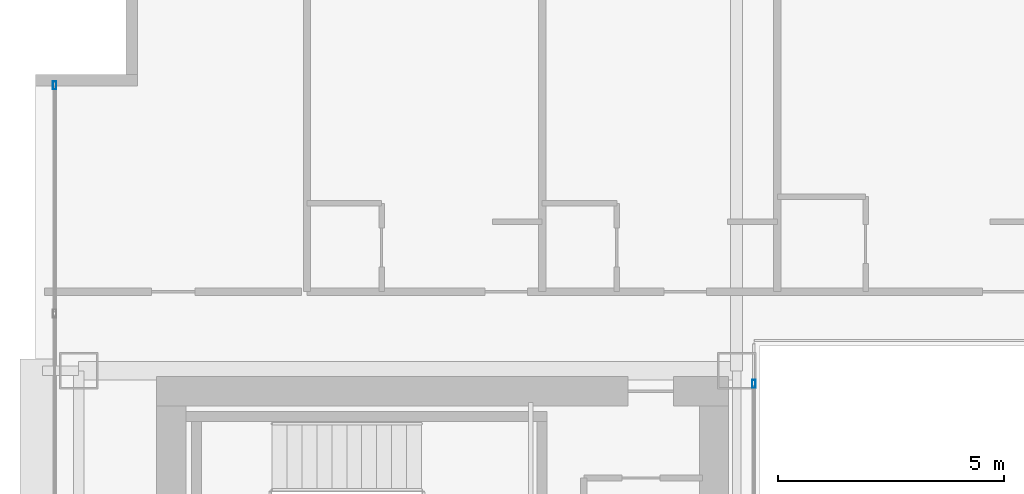
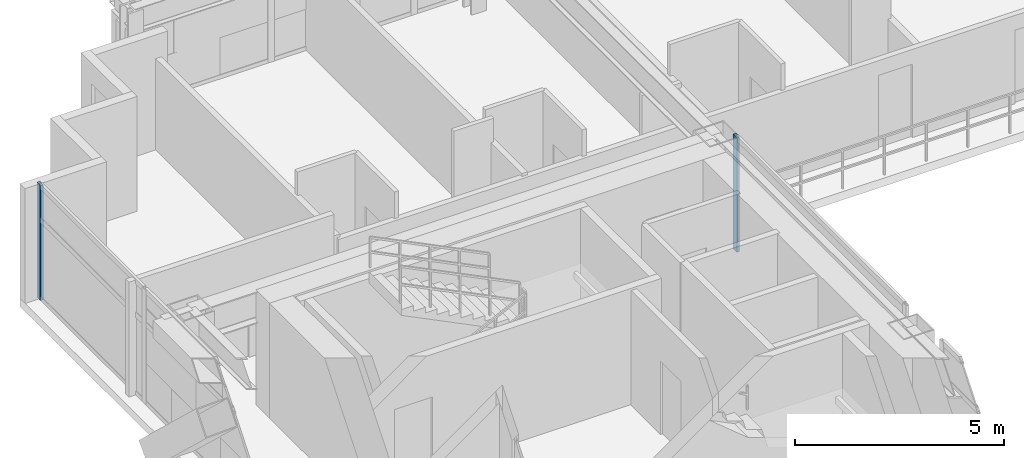
# One storey, part 20 of 39: 2 members, 2 elements without a shape of their own.
"""IFC4 building model written with IfcOpenShell, lengths in metres."""

import ifcopenshell
import ifcopenshell.guid

model = None  # the IFC model being written
_history = None  # IfcOwnerHistory: only IFC2X3 demands one
_inside = {}  # id of a spatial element -> (the spatial element, [elements in it])
_under = {}  # id of a project, library or spatial element -> (it, [spatial elements below it])
_declared = {}  # id of a project -> (the project, [libraries it declares])
_typed = {}  # id of a type object -> (the type object, [elements of that type])
_made_of = {}  # id of a material, layer set ... -> (it, [elements and type objects made of it])


def new_model(schema):
    """Start an empty IFC model of exactly this schema.

    Asked for "IFC4X3", IfcOpenShell would pick the latest addendum, in which some entities
    have other attributes; the version numbers below select the first issue.
    IFC2X3 requires an IfcOwnerHistory on every rooted entity: one is made here for all.
    """
    global model, _history
    if schema == "IFC4X3":
        model = ifcopenshell.file(schema_version=(4, 3, 0, 0))
    else:
        model = ifcopenshell.file(schema=schema)
    _inside.clear()
    _under.clear()
    _declared.clear()
    _typed.clear()
    _made_of.clear()
    _history = None
    if model.schema == "IFC2X3":
        org = make("IfcOrganization", Name="unknown")
        user = make(
            "IfcPersonAndOrganization",
            ThePerson=make("IfcPerson", FamilyName="unknown"),
            TheOrganization=org,
        )
        app = make(
            "IfcApplication",
            ApplicationDeveloper=org,
            Version="unknown",
            ApplicationFullName="unknown",
            ApplicationIdentifier="unknown",
        )
        _history = make(
            "IfcOwnerHistory",
            OwningUser=user,
            OwningApplication=app,
            ChangeAction="ADDED",
            CreationDate=0,
        )
    return model


def make(cls, **values):
    """One entity of the class cls with the attributes given. An attribute that is None is left unset."""
    return model.create_entity(
        cls, **{name: value for name, value in values.items() if value is not None}
    )


def rooted(cls, **values):
    """An entity with a GlobalId (a new one), such as an element, a storey or a relation."""
    return make(cls, GlobalId=ifcopenshell.guid.new(), OwnerHistory=_history, **values)


def si_unit(unit_type, name, prefix=None):
    """IfcSIUnit, for example si_unit("LENGTHUNIT", "METRE", prefix="MILLI")."""
    return make("IfcSIUnit", UnitType=unit_type, Prefix=prefix, Name=name)


def assignment(units):
    """IfcUnitAssignment: the units of a project."""
    return None if units is None else make("IfcUnitAssignment", Units=units)


def point(xyz):
    """IfcCartesianPoint."""
    return None if xyz is None else make("IfcCartesianPoint", Coordinates=xyz)


def direction(xyz):
    """IfcDirection."""
    return None if xyz is None else make("IfcDirection", DirectionRatios=xyz)


def frame(location, z_axis=None, x_axis=None):
    """IfcAxis2Placement3D, a coordinate frame: its origin and axes. An axis left out is left unset."""
    return make(
        "IfcAxis2Placement3D",
        Location=point(location),
        Axis=direction(z_axis),
        RefDirection=direction(x_axis),
    )


def frame_2d(location, x_axis=None):
    """IfcAxis2Placement2D, a coordinate frame in the plane: its origin and x axis."""
    return make(
        "IfcAxis2Placement2D", Location=point(location), RefDirection=direction(x_axis)
    )


def origin():
    """The frame at (0, 0, 0) with its axes left unset."""
    return frame((0.0, 0.0, 0.0))


def origin_2d():
    """The frame at (0, 0) in the plane with its x axis left unset."""
    return frame_2d((0.0, 0.0))


def place(relative_to, where):
    """IfcLocalPlacement: puts the frame where relative to a parent placement (None: the world)."""
    return make(
        "IfcLocalPlacement", PlacementRelTo=relative_to, RelativePlacement=where
    )


def context(
    kind, dimensions, precision=None, world=None, true_north=None, identifier=None
):
    """IfcGeometricRepresentationContext, for example the 3D "Model" context."""
    return make(
        "IfcGeometricRepresentationContext",
        ContextIdentifier=identifier,
        ContextType=kind,
        CoordinateSpaceDimension=dimensions,
        Precision=precision,
        WorldCoordinateSystem=world,
        TrueNorth=true_north,
    )


def subcontext(parent, identifier, kind, view, scale=None):
    """IfcGeometricRepresentationSubContext, for example "Body" below "Model"."""
    return make(
        "IfcGeometricRepresentationSubContext",
        ContextIdentifier=identifier,
        ContextType=kind,
        ParentContext=parent,
        TargetScale=scale,
        TargetView=view,
    )


def project(units=None, contexts=None):
    """IfcProject with its units and contexts."""
    return rooted(
        "IfcProject",
        Name="project",
        RepresentationContexts=contexts,
        UnitsInContext=assignment(units),
    )


def spatial(cls, under=None, at=None, **own):
    """A site, building, storey or space (cls), placed at a placement, below another one or the project."""
    s = rooted(cls, ObjectPlacement=at, **own)
    if under is not None:
        _under.setdefault(under.id(), (under, []))[1].append(s)
    return s


def profile(cls, at=None, kind="AREA", **sizes):
    """A parametric profile (cls). Its sizes go by their IFC names, for example OverallWidth=200.0."""
    return make(cls, ProfileType=kind, Position=at, **sizes)


def hollow_rectangle(**sizes):
    """IfcRectangleHollowProfileDef."""
    return profile("IfcRectangleHollowProfileDef", **sizes)


def extrude(swept, where, along, depth):
    """IfcExtrudedAreaSolid: the profile swept, set in the frame where, extruded along a direction by depth."""
    return make(
        "IfcExtrudedAreaSolid",
        SweptArea=swept,
        Position=where,
        ExtrudedDirection=direction(along),
        Depth=depth,
    )


def shape(context_of_items, identifier, shape_type, items):
    """IfcShapeRepresentation: the items that make up one representation, for example the "Body"."""
    return make(
        "IfcShapeRepresentation",
        ContextOfItems=context_of_items,
        RepresentationIdentifier=identifier,
        RepresentationType=shape_type,
        Items=items,
    )


def source(mapping_origin, context_of_items, identifier, shape_type, items):
    """IfcRepresentationMap: a shape defined once, which mapped items show again and again."""
    return make(
        "IfcRepresentationMap",
        MappingOrigin=mapping_origin,
        MappedRepresentation=shape(context_of_items, identifier, shape_type, items),
    )


def transform(
    local_origin,
    x_axis=None,
    y_axis=None,
    z_axis=None,
    scale=None,
    scale2=None,
    scale3=None,
    uniform=True,
):
    """IfcCartesianTransformationOperator3D, or its non-uniform kind. x_axis, y_axis, z_axis: its Axis1, 2, 3."""
    if uniform:
        return make(
            "IfcCartesianTransformationOperator3D",
            Axis1=direction(x_axis),
            Axis2=direction(y_axis),
            LocalOrigin=point(local_origin),
            Scale=scale,
            Axis3=direction(z_axis),
        )
    return make(
        "IfcCartesianTransformationOperator3DnonUniform",
        Axis1=direction(x_axis),
        Axis2=direction(y_axis),
        LocalOrigin=point(local_origin),
        Scale=scale,
        Axis3=direction(z_axis),
        Scale2=scale2,
        Scale3=scale3,
    )


def mapped(mapping_source, mapping_target):
    """IfcMappedItem: shows the shape of a source again, moved by a transform."""
    return make(
        "IfcMappedItem", MappingSource=mapping_source, MappingTarget=mapping_target
    )


def material(Name=None, Category=None):
    """IfcMaterial."""
    return make("IfcMaterial", Name=Name, Category=Category)


def layer(
    of_material, thickness, ventilated=None, Name=None, Category=None, Priority=None
):
    """IfcMaterialLayer: one layer of a wall or slab, of a material (None: an air gap)."""
    return make(
        "IfcMaterialLayer",
        Material=of_material,
        LayerThickness=thickness,
        IsVentilated=ventilated,
        Name=Name,
        Category=Category,
        Priority=Priority,
    )


def layer_set(layers, Name=None):
    """IfcMaterialLayerSet."""
    return make("IfcMaterialLayerSet", MaterialLayers=layers, LayerSetName=Name)


def material_profile(
    of_material, cross_section, Name=None, Category=None, Priority=None
):
    """IfcMaterialProfile: a cross section and its material."""
    return make(
        "IfcMaterialProfile",
        Name=Name,
        Material=of_material,
        Profile=cross_section,
        Priority=Priority,
        Category=Category,
    )


def profile_set(profiles, Name=None, composite=None):
    """IfcMaterialProfileSet."""
    return make(
        "IfcMaterialProfileSet",
        Name=Name,
        MaterialProfiles=profiles,
        CompositeProfile=composite,
    )


def made_of(thing, what):
    """Note that an element or type object is made of a material, layer set ...; save() writes the relation."""
    if what is not None:
        _made_of.setdefault(what.id(), (what, []))[1].append(thing)
    return thing


def type_object(cls, material=None, **own):
    """A type object (cls), such as IfcWallType, which elements share."""
    return made_of(rooted(cls, **own), material)


def element(
    cls,
    number,
    at=None,
    inside=None,
    cuts=None,
    type_object=None,
    material=None,
    context=None,
    identifier="Body",
    shape_type=None,
    held_by="IfcProductDefinitionShape",
    body=None,
    shapes=None,
    **own,
):
    """One element of the class cls, such as IfcWall. Its Tag is "e" and its number.

    at: its placement. inside: the storey or other place that contains it. cuts: it is an
    opening in that element (IfcRelVoidsElement). A single representation is given by context,
    identifier, shape_type and body (its items); several are given by shapes. held_by: the class
    of the entity that holds the representations. save() writes the other relations.
    """
    e = rooted(cls, Tag="e%d" % number, ObjectPlacement=at, **own)
    if body is not None:
        shapes = [shape(context, identifier, shape_type, body)]
    if shapes is not None:
        e.Representation = make(held_by, Representations=shapes)
    if inside is not None:
        _inside.setdefault(inside.id(), (inside, []))[1].append(e)
    if cuts is not None:
        rooted(
            "IfcRelVoidsElement", RelatingBuildingElement=cuts, RelatedOpeningElement=e
        )
    if type_object is not None:
        _typed.setdefault(type_object.id(), (type_object, []))[1].append(e)
    return made_of(e, material)


def aggregate(whole, parts):
    """IfcRelAggregates: a whole, such as a stair, and the parts it consists of."""
    return rooted("IfcRelAggregates", RelatingObject=whole, RelatedObjects=parts)


def save(model, path):
    """Write the relations noted so far, then the file.

    IfcRelAggregates (storeys below a building ...), IfcRelContainedInSpatialStructure (elements
    in a storey), IfcRelDefinesByType, IfcRelAssociatesMaterial and IfcRelDeclares: one each for
    every whole, place, type object, material and project.
    """
    for whole, parts in _under.values():
        aggregate(whole, parts)
    for where, things in _inside.values():
        rooted(
            "IfcRelContainedInSpatialStructure",
            RelatedElements=things,
            RelatingStructure=where,
        )
    for kind, things in _typed.values():
        rooted("IfcRelDefinesByType", RelatedObjects=things, RelatingType=kind)
    for what, things in _made_of.values():
        rooted("IfcRelAssociatesMaterial", RelatedObjects=things, RelatingMaterial=what)
    for by, libraries in _declared.values():
        rooted("IfcRelDeclares", RelatingContext=by, RelatedDefinitions=libraries)
    model.write(path)


model = new_model("IFC4")

# Units and contexts
model_context = context("Model", 3, precision=1e-05, world=origin(), true_north=direction((0.0, 1.0)))
body_context = subcontext(model_context, "Body", "Model", "MODEL_VIEW")
ifc_project = project(units=[si_unit("LENGTHUNIT", "METRE"), si_unit("AREAUNIT", "SQUARE_METRE"), si_unit("VOLUMEUNIT", "CUBIC_METRE"), si_unit("PLANEANGLEUNIT", "RADIAN"), si_unit("MASSUNIT", "GRAM", prefix="KILO")], contexts=[model_context])

# Site, building, storey
site_placement = place(None, origin())
site = spatial("IfcSite", under=ifc_project, at=site_placement, CompositionType="ELEMENT")
building_placement = place(site_placement, origin())
building = spatial("IfcBuilding", under=site, at=building_placement, Name="Ocotamira Hotel", CompositionType="ELEMENT")
storey_placement = place(building_placement, frame((0.0, 0.0, 104.39990234375)))
storey = spatial("IfcBuildingStorey", under=building, at=storey_placement, Name="L25", CompositionType="ELEMENT", Elevation=104.39990234375)

# Curtain wall, member
ifc_material_1 = material(Name="Anodised pale-metal aluminium and solar glass", Category="aluminium")
ifc_layer_1 = layer(ifc_material_1, 0.179931640625)
ifc_layer_set_1 = layer_set([ifc_layer_1], Name="Anodised pale-metal aluminium and solar glass")
curtain_wall_type_1 = type_object("IfcCurtainWallType", Name="CW-SYS3-Z2", PredefinedType="NOTDEFINED", material=ifc_layer_set_1)
curtain_wall_1_placement = place(storey_placement, origin())
curtain_wall_1 = element("IfcCurtainWall", 1, at=curtain_wall_1_placement, inside=storey, type_object=curtain_wall_type_1, Name="L25 Curtain Wall CW-3 CW-L25-W", PredefinedType="NOTDEFINED")
ifc_material_2 = material(Name="Anodised pale-metal aluminium 6063-T6", Category="aluminium")
ifc_material_profile = material_profile(ifc_material_2, hollow_rectangle(XDim=0.080078125, YDim=0.179931640625, WallThickness=0.006103515625, at=origin_2d()), Name="HSS180X80X6")
ifc_profile_set = profile_set([ifc_material_profile], Name="Anodised pale-metal aluminium 6063-T6")
member_type = type_object("IfcMemberType", Name="CWM-180X75", PredefinedType="MULLION", material=ifc_profile_set)
shared_shape = source(origin(), body_context, "Body", "SweptSolid", [
    extrude(hollow_rectangle(XDim=0.080078125, YDim=0.179931640625, WallThickness=0.006103515625, at=origin_2d()), origin(), (0.0, 0.0, 1.0), 3.360107421875),
])
member_1_placement = place(storey_placement, frame((8.419921875, 43.760009765625, 0.0), z_axis=(0.0, 0.0, 1.0), x_axis=(-1.0, 0.0, 0.0)))
member_1 = element("IfcMember", 2, at=member_1_placement, type_object=member_type, Name="CW-3 mullion 8", PredefinedType="MULLION", context=body_context, shape_type="MappedRepresentation", body=[
    mapped(shared_shape, transform((0.0, 0.0, 0.0), scale=1.0)),
])
aggregate(curtain_wall_1, [member_1])

ifc_layer_2 = layer(ifc_material_1, 0.159912109375)
ifc_layer_set_2 = layer_set([ifc_layer_2], Name="Anodised pale-metal aluminium and solar glass")
curtain_wall_type_2 = type_object("IfcCurtainWallType", Name="CW-SYS6-ATR", PredefinedType="NOTDEFINED", material=ifc_layer_set_2)
curtain_wall_2_placement = place(storey_placement, origin())
curtain_wall_2 = element("IfcCurtainWall", 3, at=curtain_wall_2_placement, inside=storey, type_object=curtain_wall_type_2, Name="L25 Curtain Wall CW-6 CW-L25-ATRW2", PredefinedType="NOTDEFINED")
member_2_placement = place(storey_placement, frame((23.8798828125, 37.159912109375, 0.0), z_axis=(0.0, 0.0, 1.0), x_axis=(-1.0, 0.0, 0.0)))
member_2 = element("IfcMember", 4, at=member_2_placement, type_object=member_type, Name="CW-6 mullion 2", PredefinedType="MULLION", context=body_context, shape_type="MappedRepresentation", body=[
    mapped(shared_shape, transform((0.0, 0.0, 0.0), scale=1.0)),
])
aggregate(curtain_wall_2, [member_2])

save(model, "model.ifc")
